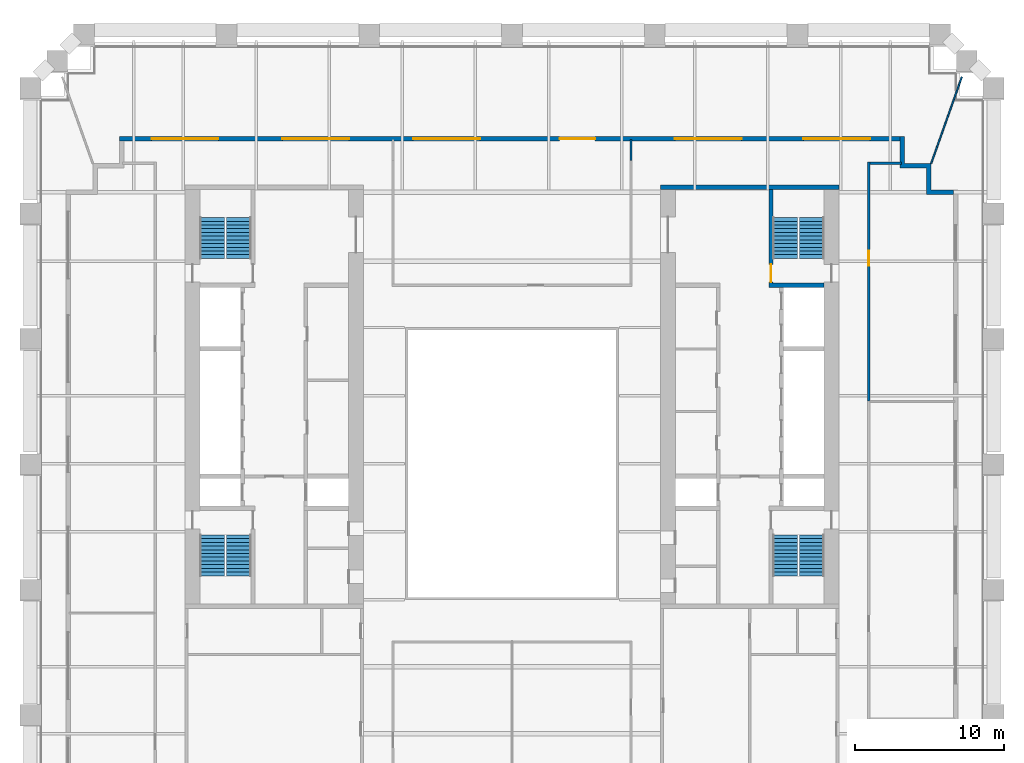
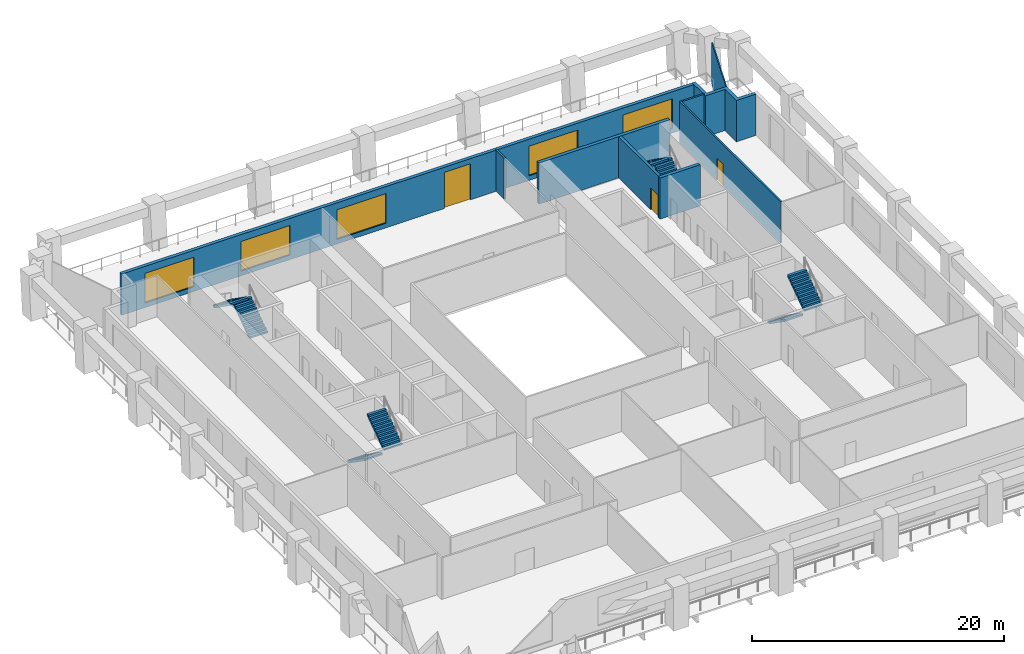
# One storey, part 7 of 8: 9 walls, 8 stair flights, 5 windows, 3 doors, 8 openings, 4 elements without a shape of their own.
"""IFC4 building model written with IfcOpenShell, lengths in metres."""

from ifc_helpers import new_model, si_unit, direction, frame, frame_2d, origin, place, context, subcontext, project, spatial, polyline, rectangle, outline, extrude, material, layer, layer_set, type_object, element, fill, aggregate, save


model = new_model("IFC4")

# Units and contexts
model_context = context("Model", 3, precision=1e-05, world=origin(), true_north=direction((0.0, 1.0)))
body_context = subcontext(model_context, "Body", "Model", "MODEL_VIEW")
ifc_project = project(units=[si_unit("LENGTHUNIT", "METRE"), si_unit("AREAUNIT", "SQUARE_METRE"), si_unit("VOLUMEUNIT", "CUBIC_METRE"), si_unit("PLANEANGLEUNIT", "RADIAN"), si_unit("MASSUNIT", "GRAM", prefix="KILO")], contexts=[model_context])

# Site, building, storey
site_placement = place(None, origin())
site = spatial("IfcSite", under=ifc_project, at=site_placement, CompositionType="ELEMENT")
building_placement = place(site_placement, origin())
building = spatial("IfcBuilding", under=site, at=building_placement, Name="Ogive Exchange Tower", CompositionType="ELEMENT")
storey_placement = place(building_placement, frame((0.0, 0.0, 81.60009765625)))
storey = spatial("IfcBuildingStorey", under=building, at=storey_placement, Name="L17", CompositionType="ELEMENT", Elevation=81.60009765625)

# Wall
ifc_material_1 = material(Name="Fire partition EI 60 150")
ifc_layer_1 = layer(ifc_material_1, 0.14990234375)
ifc_layer_set_1 = layer_set([ifc_layer_1], Name="Fire partition EI 60 150")
wall_type_1 = type_object("IfcWallType", Name="Fire partition EI 60 150", PredefinedType="PARTITIONING", material=ifc_layer_set_1)
wall_1_placement = place(storey_placement, frame((8.010009765625, 27.39990234375, 0.0), z_axis=(0.0, 0.0, 1.0), x_axis=(0.0, 1.0, 0.0)))
element("IfcWall", 1, at=wall_1_placement, inside=storey, type_object=wall_type_1, Name="L17-PWL-025", PredefinedType="PARTITIONING", context=body_context, shape_type="SweptSolid", body=[
    extrude(rectangle(XDim=1.400146484375, YDim=0.14990234375, at=frame_2d((0.7001953125, 0.0))), origin(), (0.0, 0.0, 1.0), 4.0),
])

# Wall, opening, door
wall_2_placement = place(storey_placement, frame((24.0, 27.284912109375, 0.0), z_axis=(0.0, 0.0, 1.0), x_axis=(0.0, -1.0, 0.0)))
wall_2 = element("IfcWall", 2, at=wall_2_placement, inside=storey, type_object=wall_type_1, Name="L17-PWL-035", PredefinedType="PARTITIONING", context=body_context, shape_type="SweptSolid", body=[
    extrude(rectangle(XDim=16.06494140625, YDim=0.14990234375, at=frame_2d((8.032470703125, 0.0))), origin(), (0.0, 0.0, 1.0), 4.0),
])
opening_1_placement = place(wall_2_placement, frame((5.965087890625, 0.0, 0.0)))
opening_1 = element("IfcOpeningElement", 3, at=opening_1_placement, cuts=wall_2, Name="Opening L17-I04", PredefinedType="OPENING", context=body_context, shape_type="SweptSolid", body=[
    extrude(rectangle(XDim=1.0, YDim=2.10009765625, at=frame_2d((0.5, 1.050048828125))), frame((0.0, 0.0849609375, 0.0), z_axis=(0.0, -1.0, 0.0), x_axis=(1.0, 0.0, 0.0)), (0.0, 0.0, 1.0), 0.169921875),
])
ifc_material_2 = material(Name="Fire door FD 30S 1000 x 2100")
door_type_1 = type_object("IfcDoorType", Name="Fire door FD 30S 1000 x 2100", OperationType="NOTDEFINED", PredefinedType="DOOR", material=ifc_material_2)
door_1_placement = place(opening_1_placement, origin())
door_1 = element("IfcDoor", 4, at=door_1_placement, inside=storey, type_object=door_type_1, Name="L17-IDR-004", ObjectType="DT3", OperationType="SINGLE_SWING_LEFT", OverallHeight=2.10009765625, OverallWidth=1.0, PredefinedType="DOOR", context=body_context, shape_type="SweptSolid", body=[
    extrude(rectangle(XDim=1.0, YDim=2.10009765625, at=frame_2d((0.5, 1.050048828125))), frame((0.0, 0.02490234375, 0.0), z_axis=(0.0, -1.0, 0.0), x_axis=(1.0, 0.0, 0.0)), (0.0, 0.0, 1.0), 0.050048828125),
])
fill(opening_1, door_1)

# Wall
wall_3_placement = place(storey_placement, frame((26.199951171875, 27.2099609375, 0.0), z_axis=(0.0, 0.0, 1.0), x_axis=(-1.0, 0.0, 0.0)))
element("IfcWall", 5, at=wall_3_placement, inside=storey, type_object=wall_type_1, Name="L17-PWL-036", PredefinedType="PARTITIONING", context=body_context, shape_type="SweptSolid", body=[
    extrude(rectangle(XDim=2.125, YDim=0.14990234375, at=frame_2d((1.0625, 0.0))), origin(), (0.0, 0.0, 1.0), 4.0),
])

# Wall, openings, door, windows
ifc_material_3 = material(Name="Precast concrete C40/50", Category="concrete")
ifc_layer_2 = layer(ifc_material_3, 0.300048828125)
ifc_layer_set_2 = layer_set([ifc_layer_2], Name="Limestone-faced wall 300")
wall_type_2 = type_object("IfcWallType", Name="Limestone-faced wall 300", PredefinedType="STANDARD", material=ifc_layer_set_2)
wall_4_placement = place(storey_placement, frame((26.10009765625, 28.85009765625, 0.0), z_axis=(0.0, 0.0, 1.0), x_axis=(-1.0, 0.0, 0.0)))
wall_4 = element("IfcWall", 6, at=wall_4_placement, inside=storey, type_object=wall_type_2, Name="External wall N3", PredefinedType="STANDARD", context=body_context, shape_type="SweptSolid", body=[
    extrude(rectangle(XDim=52.5, YDim=0.300048828125, at=frame_2d((26.25, 0.0))), origin(), (0.0, 0.0, 1.0), 4.0),
])
opening_2_placement = place(wall_4_placement, frame((2.0, 0.0, 0.449951171875)))
opening_2 = element("IfcOpeningElement", 7, at=opening_2_placement, cuts=wall_4, Name="Opening W1D", PredefinedType="OPENING", context=body_context, shape_type="SweptSolid", body=[
    extrude(rectangle(XDim=4.5, YDim=2.875, at=frame_2d((2.25, 1.4375))), frame((0.0, 0.159912109375, 0.0), z_axis=(0.0, -1.0, 0.0), x_axis=(1.0, 0.0, 0.0)), (0.0, 0.0, 1.0), 0.320068359375),
])
opening_3_placement = place(wall_4_placement, frame((10.64990234375, 0.0, 0.449951171875)))
opening_3 = element("IfcOpeningElement", 8, at=opening_3_placement, cuts=wall_4, Name="Opening W1D", PredefinedType="OPENING", context=body_context, shape_type="SweptSolid", body=[
    extrude(rectangle(XDim=4.5, YDim=2.875, at=frame_2d((2.25, 1.4375))), frame((0.0, 0.159912109375, 0.0), z_axis=(0.0, -1.0, 0.0), x_axis=(1.0, 0.0, 0.0)), (0.0, 0.0, 1.0), 0.320068359375),
])
opening_4_placement = place(wall_4_placement, frame((20.5, 0.0, 0.0)))
opening_4 = element("IfcOpeningElement", 9, at=opening_4_placement, cuts=wall_4, Name="Opening D1", PredefinedType="OPENING", context=body_context, shape_type="SweptSolid", body=[
    extrude(rectangle(XDim=2.39990234375, YDim=3.5, at=frame_2d((1.199951171875, 1.75))), frame((0.0, 0.159912109375, 0.0), z_axis=(0.0, -1.0, 0.0), x_axis=(1.0, 0.0, 0.0)), (0.0, 0.0, 1.0), 0.320068359375),
])
opening_5_placement = place(wall_4_placement, frame((28.25, 0.0, 0.449951171875)))
opening_5 = element("IfcOpeningElement", 10, at=opening_5_placement, cuts=wall_4, Name="Opening W1D", PredefinedType="OPENING", context=body_context, shape_type="SweptSolid", body=[
    extrude(rectangle(XDim=4.5, YDim=2.875, at=frame_2d((2.25, 1.4375))), frame((0.0, 0.159912109375, 0.0), z_axis=(0.0, -1.0, 0.0), x_axis=(1.0, 0.0, 0.0)), (0.0, 0.0, 1.0), 0.320068359375),
])
opening_6_placement = place(wall_4_placement, frame((37.050048828125, 0.0, 0.449951171875)))
opening_6 = element("IfcOpeningElement", 11, at=opening_6_placement, cuts=wall_4, Name="Opening W1D", PredefinedType="OPENING", context=body_context, shape_type="SweptSolid", body=[
    extrude(rectangle(XDim=4.5, YDim=2.875, at=frame_2d((2.25, 1.4375))), frame((0.0, 0.159912109375, 0.0), z_axis=(0.0, -1.0, 0.0), x_axis=(1.0, 0.0, 0.0)), (0.0, 0.0, 1.0), 0.320068359375),
])
opening_7_placement = place(wall_4_placement, frame((45.85009765625, 0.0, 0.449951171875)))
opening_7 = element("IfcOpeningElement", 12, at=opening_7_placement, cuts=wall_4, Name="Opening W1D", PredefinedType="OPENING", context=body_context, shape_type="SweptSolid", body=[
    extrude(rectangle(XDim=4.5, YDim=2.875, at=frame_2d((2.25, 1.4375))), frame((0.0, 0.159912109375, 0.0), z_axis=(0.0, -1.0, 0.0), x_axis=(1.0, 0.0, 0.0)), (0.0, 0.0, 1.0), 0.320068359375),
])
ifc_material_4 = material(Name="Clear glass in bronze frame", Category="glass")
door_type_2 = type_object("IfcDoorType", Name="Sliding loggia door 2400 x 3500", OperationType="DOUBLE_DOOR_SLIDING", PredefinedType="DOOR", material=ifc_material_4)
door_2_placement = place(opening_4_placement, origin())
door_2 = element("IfcDoor", 13, at=door_2_placement, inside=storey, type_object=door_type_2, Name="Loggia door N02", OperationType="DOUBLE_DOOR_SLIDING", OverallHeight=3.5, OverallWidth=2.39990234375, PredefinedType="DOOR", context=body_context, shape_type="SweptSolid", body=[
    extrude(rectangle(XDim=2.39990234375, YDim=3.5, at=frame_2d((1.199951171875, 1.75))), frame((0.0, 0.02490234375, 0.0), z_axis=(0.0, -1.0, 0.0), x_axis=(1.0, 0.0, 0.0)), (0.0, 0.0, 1.0), 0.050048828125),
])
fill(opening_4, door_2)
window_type = type_object("IfcWindowType", Name="Twin lancet window 4500 x 2875", PartitioningType="DOUBLE_PANEL_VERTICAL", PredefinedType="WINDOW", material=ifc_material_4)
window_1_placement = place(opening_2_placement, origin())
window_1 = element("IfcWindow", 14, at=window_1_placement, inside=storey, type_object=window_type, Name="Window N00", OverallHeight=2.875, OverallWidth=4.5, PartitioningType="DOUBLE_PANEL_VERTICAL", PredefinedType="WINDOW", context=body_context, shape_type="SweptSolid", body=[
    extrude(rectangle(XDim=4.5, YDim=2.875, at=frame_2d((2.25, 1.4375))), frame((0.0, 0.030029296875, 0.0), z_axis=(0.0, -1.0, 0.0), x_axis=(1.0, 0.0, 0.0)), (0.0, 0.0, 1.0), 0.06005859375),
])
fill(opening_2, window_1)
window_2_placement = place(opening_3_placement, origin())
window_2 = element("IfcWindow", 15, at=window_2_placement, inside=storey, type_object=window_type, Name="Window N01", OverallHeight=2.875, OverallWidth=4.5, PartitioningType="DOUBLE_PANEL_VERTICAL", PredefinedType="WINDOW", context=body_context, shape_type="SweptSolid", body=[
    extrude(rectangle(XDim=4.5, YDim=2.875, at=frame_2d((2.25, 1.4375))), frame((0.0, 0.030029296875, 0.0), z_axis=(0.0, -1.0, 0.0), x_axis=(1.0, 0.0, 0.0)), (0.0, 0.0, 1.0), 0.06005859375),
])
fill(opening_3, window_2)
window_3_placement = place(opening_5_placement, origin())
window_3 = element("IfcWindow", 16, at=window_3_placement, inside=storey, type_object=window_type, Name="Window N03", OverallHeight=2.875, OverallWidth=4.5, PartitioningType="DOUBLE_PANEL_VERTICAL", PredefinedType="WINDOW", context=body_context, shape_type="SweptSolid", body=[
    extrude(rectangle(XDim=4.5, YDim=2.875, at=frame_2d((2.25, 1.4375))), frame((0.0, 0.030029296875, 0.0), z_axis=(0.0, -1.0, 0.0), x_axis=(1.0, 0.0, 0.0)), (0.0, 0.0, 1.0), 0.06005859375),
])
fill(opening_5, window_3)
window_4_placement = place(opening_6_placement, origin())
window_4 = element("IfcWindow", 17, at=window_4_placement, inside=storey, type_object=window_type, Name="Window N04", OverallHeight=2.875, OverallWidth=4.5, PartitioningType="DOUBLE_PANEL_VERTICAL", PredefinedType="WINDOW", context=body_context, shape_type="SweptSolid", body=[
    extrude(rectangle(XDim=4.5, YDim=2.875, at=frame_2d((2.25, 1.4375))), frame((0.0, 0.030029296875, 0.0), z_axis=(0.0, -1.0, 0.0), x_axis=(1.0, 0.0, 0.0)), (0.0, 0.0, 1.0), 0.06005859375),
])
fill(opening_6, window_4)
window_5_placement = place(opening_7_placement, origin())
window_5 = element("IfcWindow", 18, at=window_5_placement, inside=storey, type_object=window_type, Name="Window N05", OverallHeight=2.875, OverallWidth=4.5, PartitioningType="DOUBLE_PANEL_VERTICAL", PredefinedType="WINDOW", context=body_context, shape_type="SweptSolid", body=[
    extrude(rectangle(XDim=4.5, YDim=2.875, at=frame_2d((2.25, 1.4375))), frame((0.0, 0.030029296875, 0.0), z_axis=(0.0, -1.0, 0.0), x_axis=(1.0, 0.0, 0.0)), (0.0, 0.0, 1.0), 0.06005859375),
])
fill(opening_7, window_5)

# Walls
wall_5_placement = place(storey_placement, origin())
element("IfcWall", 19, at=wall_5_placement, inside=storey, type_object=wall_type_2, Name="External corner wall C2", PredefinedType="STANDARD", context=body_context, shape_type="SweptSolid", body=[
    extrude(outline(polyline([(27.89990234375, 26.89990234375), (26.10009765625, 26.89990234375), (26.10009765625, 29.0), (26.39990234375, 29.0), (26.39990234375, 27.199951171875), (28.199951171875, 27.199951171875), (28.199951171875, 25.39990234375), (29.699951171875, 25.39990234375), (29.699951171875, 25.10009765625), (27.89990234375, 25.10009765625), (27.89990234375, 26.89990234375)])), origin(), (0.0, 0.0, 1.0), 4.0),
])
ifc_material_5 = material(Name="Laminated safety glass in steel frame", Category="steel")
ifc_layer_3 = layer(ifc_material_5, 0.10009765625)
ifc_layer_set_3 = layer_set([ifc_layer_3], Name="Loggia end screen 100")
wall_type_3 = type_object("IfcWallType", Name="Loggia end screen 100", PredefinedType="STANDARD", material=ifc_layer_set_3)
wall_6_placement = place(storey_placement, frame((28.199951171875, 27.199951171875, -0.050048828125), z_axis=(0.0, 0.0, 1.0), x_axis=(0.334412113697, 0.942426940517, 0.0)))
element("IfcWall", 20, at=wall_6_placement, inside=storey, type_object=wall_type_3, Name="Loggia end screen C2", PredefinedType="STANDARD", context=body_context, shape_type="SweptSolid", body=[
    extrude(rectangle(XDim=6.166748046875, YDim=0.10009765625, at=frame_2d((3.08349609375, 0.0))), origin(), (0.0, 0.0, 1.0), 4.050048828125),
])

# Wall, opening, door
ifc_material_6 = material(Name="Concrete C70/85", Category="concrete")
ifc_layer_4 = layer(ifc_material_6, 0.25)
ifc_layer_set_4 = layer_set([ifc_layer_4], Name="RC core wall 250 C70/85")
wall_type_4 = type_object("IfcWallType", Name="RC core wall 250 C70/85", PredefinedType="SHEAR", material=ifc_layer_set_4)
wall_7_placement = place(storey_placement, frame((17.425048828125, 19.14990234375, 0.0), z_axis=(0.0, 0.0, 1.0), x_axis=(0.0, 1.0, 0.0)))
wall_7 = element("IfcWall", 21, at=wall_7_placement, inside=storey, type_object=wall_type_4, Name="E stair N front wall", PredefinedType="SHEAR", context=body_context, shape_type="SweptSolid", body=[
    extrude(rectangle(XDim=6.300048828125, YDim=0.25, at=frame_2d((3.14990234375, 0.0))), origin(), (0.0, 0.0, 1.0), 4.0),
])
opening_8_placement = place(wall_7_placement, frame((0.050048828125, 0.0, 0.0)))
opening_8 = element("IfcOpeningElement", 22, at=opening_8_placement, cuts=wall_7, Name="Opening L17-C37", PredefinedType="OPENING", context=body_context, shape_type="SweptSolid", body=[
    extrude(rectangle(XDim=1.199951171875, YDim=2.10009765625, at=frame_2d((0.60009765625, 1.050048828125))), frame((0.0, 0.135009765625, 0.0), z_axis=(0.0, -1.0, 0.0), x_axis=(1.0, 0.0, 0.0)), (0.0, 0.0, 1.0), 0.27001953125),
])
ifc_material_7 = material(Name="Steel fire door", Category="steel")
door_type_3 = type_object("IfcDoorType", Name="Stair door FD90 1200 x 2100", OperationType="NOTDEFINED", PredefinedType="DOOR", material=ifc_material_7)
door_3_placement = place(opening_8_placement, frame((1.199951171875, 0.0, 0.0), z_axis=(0.0, 0.0, 1.0), x_axis=(-1.0, 0.0, 0.0)))
door_3 = element("IfcDoor", 23, at=door_3_placement, inside=storey, type_object=door_type_3, Name="Stair door", ObjectType="CD5", OperationType="SINGLE_SWING_LEFT", OverallHeight=2.10009765625, OverallWidth=1.199951171875, PredefinedType="DOOR", context=body_context, shape_type="SweptSolid", body=[
    extrude(rectangle(XDim=1.199951171875, YDim=2.10009765625, at=frame_2d((0.60009765625, 1.050048828125))), frame((0.0, 0.02490234375, 0.0), z_axis=(0.0, -1.0, 0.0), x_axis=(1.0, 0.0, 0.0)), (0.0, 0.0, 1.0), 0.050048828125),
])
fill(opening_8, door_3)

# Walls
ifc_layer_5 = layer(ifc_material_6, 0.300048828125)
ifc_layer_set_5 = layer_set([ifc_layer_5], Name="RC core wall 300 C70/85")
wall_type_5 = type_object("IfcWallType", Name="RC core wall 300 C70/85", PredefinedType="SHEAR", material=ifc_layer_set_5)
wall_8_placement = place(storey_placement, frame((10.0, 25.60009765625, 0.0), z_axis=(0.0, 0.0, 1.0), x_axis=(1.0, 0.0, 0.0)))
element("IfcWall", 24, at=wall_8_placement, inside=storey, type_object=wall_type_5, Name="E north end wall", PredefinedType="SHEAR", context=body_context, shape_type="SweptSolid", body=[
    extrude(rectangle(XDim=12.0, YDim=0.300048828125, at=frame_2d((6.0, 0.0))), origin(), (0.0, 0.0, 1.0), 4.0),
])
wall_9_placement = place(storey_placement, frame((17.300048828125, 19.0, 0.0), z_axis=(0.0, 0.0, 1.0), x_axis=(1.0, 0.0, 0.0)))
element("IfcWall", 25, at=wall_9_placement, inside=storey, type_object=wall_type_5, Name="E stair N south wall", PredefinedType="SHEAR", context=body_context, shape_type="SweptSolid", body=[
    extrude(rectangle(XDim=3.699951171875, YDim=0.300048828125, at=frame_2d((1.85009765625, 0.0))), origin(), (0.0, 0.0, 1.0), 4.0),
])

# Stair, stair flights
ifc_material_8 = material(Name="Concrete C40/50", Category="concrete")
stair_type = type_object("IfcStairType", Name="Exit stair 1650 wide", PredefinedType="HALF_TURN_STAIR", material=ifc_material_8)
stair_1_placement = place(storey_placement, origin())
stair_1 = element("IfcStair", 26, at=stair_1_placement, inside=storey, type_object=stair_type, Name="L17 exit stair ST1", PredefinedType="HALF_TURN_STAIR")
stair_flight_type = type_object("IfcStairFlightType", Name="Stair flight 1650 wide", PredefinedType="STRAIGHT", material=ifc_material_8)
stair_flight_1_placement = place(storey_placement, frame((-20.175048828125, 2.199951171875, 0.0), z_axis=(0.0, 0.0, 1.0), x_axis=(0.0, -1.0, 0.0)))
stair_flight_1 = element("IfcStairFlight", 27, at=stair_flight_1_placement, type_object=stair_flight_type, Name="ST1 flight 1", NumberOfRisers=12, NumberOfTreads=11, PredefinedType="STRAIGHT", RiserHeight=0.175, TreadLength=0.25, context=body_context, shape_type="SweptSolid", body=[
    extrude(outline(polyline([(0.0, 0.0), (0.0, 0.175048828125), (0.25, 0.175048828125), (0.25, 0.35009765625), (0.5, 0.35009765625), (0.5, 0.52490234375), (0.75, 0.52490234375), (0.75, 0.699951171875), (1.0, 0.699951171875), (1.0, 0.875), (1.25, 0.875), (1.25, 1.050048828125), (1.5, 1.050048828125), (1.5, 1.22509765625), (1.75, 1.22509765625), (1.75, 1.39990234375), (2.0, 1.39990234375), (2.0, 1.574951171875), (2.25, 1.574951171875), (2.25, 1.75), (2.5, 1.75), (2.5, 1.925048828125), (2.75, 1.925048828125), (2.75, 2.10009765625), (2.75, 1.741943359375), (0.261474609375, 0.0), (0.0, 0.0)])), frame((0.0, 0.824951171875, 0.0), z_axis=(0.0, -1.0, 0.0), x_axis=(1.0, 0.0, 0.0)), (0.0, 0.0, 1.0), 1.64990234375),
])
stair_flight_2_placement = place(storey_placement, frame((-18.375, -0.550048828125, 2.099853515625), z_axis=(0.0, 0.0, 1.0), x_axis=(0.0, 1.0, 0.0)))
stair_flight_2 = element("IfcStairFlight", 28, at=stair_flight_2_placement, type_object=stair_flight_type, Name="ST1 flight 2", NumberOfRisers=12, NumberOfTreads=11, PredefinedType="STRAIGHT", RiserHeight=0.175, TreadLength=0.25, context=body_context, shape_type="SweptSolid", body=[
    extrude(outline(polyline([(0.0, 0.0), (0.0, 0.175048828125), (0.25, 0.175048828125), (0.25, 0.35009765625), (0.5, 0.35009765625), (0.5, 0.52490234375), (0.75, 0.52490234375), (0.75, 0.699951171875), (1.0, 0.699951171875), (1.0, 0.875), (1.25, 0.875), (1.25, 1.050048828125), (1.5, 1.050048828125), (1.5, 1.22509765625), (1.75, 1.22509765625), (1.75, 1.39990234375), (2.0, 1.39990234375), (2.0, 1.574951171875), (2.25, 1.574951171875), (2.25, 1.75), (2.5, 1.75), (2.5, 1.925048828125), (2.75, 1.925048828125), (2.75, 2.10009765625), (2.75, 1.741943359375), (0.261474609375, 0.0), (0.0, 0.0)])), frame((0.0, 0.824951171875, 0.0), z_axis=(0.0, -1.0, 0.0), x_axis=(1.0, 0.0, 0.0)), (0.0, 0.0, 1.0), 1.64990234375),
])
aggregate(stair_1, [stair_flight_1, stair_flight_2])

stair_2_placement = place(storey_placement, origin())
stair_2 = element("IfcStair", 29, at=stair_2_placement, inside=storey, type_object=stair_type, Name="L17 exit stair ST2", PredefinedType="HALF_TURN_STAIR")
stair_flight_3_placement = place(storey_placement, frame((-18.375, 20.800048828125, 0.0), z_axis=(0.0, 0.0, 1.0), x_axis=(0.0, 1.0, 0.0)))
stair_flight_3 = element("IfcStairFlight", 30, at=stair_flight_3_placement, type_object=stair_flight_type, Name="ST2 flight 1", NumberOfRisers=12, NumberOfTreads=11, PredefinedType="STRAIGHT", RiserHeight=0.175, TreadLength=0.25, context=body_context, shape_type="SweptSolid", body=[
    extrude(outline(polyline([(0.0, 0.0), (0.0, 0.175048828125), (0.25, 0.175048828125), (0.25, 0.35009765625), (0.5, 0.35009765625), (0.5, 0.52490234375), (0.75, 0.52490234375), (0.75, 0.699951171875), (1.0, 0.699951171875), (1.0, 0.875), (1.25, 0.875), (1.25, 1.050048828125), (1.5, 1.050048828125), (1.5, 1.22509765625), (1.75, 1.22509765625), (1.75, 1.39990234375), (2.0, 1.39990234375), (2.0, 1.574951171875), (2.25, 1.574951171875), (2.25, 1.75), (2.5, 1.75), (2.5, 1.925048828125), (2.75, 1.925048828125), (2.75, 2.10009765625), (2.75, 1.741943359375), (0.261474609375, 0.0), (0.0, 0.0)])), frame((0.0, 0.824951171875, 0.0), z_axis=(0.0, -1.0, 0.0), x_axis=(1.0, 0.0, 0.0)), (0.0, 0.0, 1.0), 1.64990234375),
])
stair_flight_4_placement = place(storey_placement, frame((-20.175048828125, 23.550048828125, 2.099853515625), z_axis=(0.0, 0.0, 1.0), x_axis=(0.0, -1.0, 0.0)))
stair_flight_4 = element("IfcStairFlight", 31, at=stair_flight_4_placement, type_object=stair_flight_type, Name="ST2 flight 2", NumberOfRisers=12, NumberOfTreads=11, PredefinedType="STRAIGHT", RiserHeight=0.175, TreadLength=0.25, context=body_context, shape_type="SweptSolid", body=[
    extrude(outline(polyline([(0.0, 0.0), (0.0, 0.175048828125), (0.25, 0.175048828125), (0.25, 0.35009765625), (0.5, 0.35009765625), (0.5, 0.52490234375), (0.75, 0.52490234375), (0.75, 0.699951171875), (1.0, 0.699951171875), (1.0, 0.875), (1.25, 0.875), (1.25, 1.050048828125), (1.5, 1.050048828125), (1.5, 1.22509765625), (1.75, 1.22509765625), (1.75, 1.39990234375), (2.0, 1.39990234375), (2.0, 1.574951171875), (2.25, 1.574951171875), (2.25, 1.75), (2.5, 1.75), (2.5, 1.925048828125), (2.75, 1.925048828125), (2.75, 2.10009765625), (2.75, 1.741943359375), (0.261474609375, 0.0), (0.0, 0.0)])), frame((0.0, 0.824951171875, 0.0), z_axis=(0.0, -1.0, 0.0), x_axis=(1.0, 0.0, 0.0)), (0.0, 0.0, 1.0), 1.64990234375),
])
aggregate(stair_2, [stair_flight_3, stair_flight_4])

stair_3_placement = place(storey_placement, origin())
stair_3 = element("IfcStair", 32, at=stair_3_placement, inside=storey, type_object=stair_type, Name="L17 exit stair ST3", PredefinedType="HALF_TURN_STAIR")
stair_flight_5_placement = place(storey_placement, frame((18.375, 2.199951171875, 0.0), z_axis=(0.0, 0.0, 1.0), x_axis=(0.0, -1.0, 0.0)))
stair_flight_5 = element("IfcStairFlight", 33, at=stair_flight_5_placement, type_object=stair_flight_type, Name="ST3 flight 1", NumberOfRisers=12, NumberOfTreads=11, PredefinedType="STRAIGHT", RiserHeight=0.175, TreadLength=0.25, context=body_context, shape_type="SweptSolid", body=[
    extrude(outline(polyline([(0.0, 0.0), (0.0, 0.175048828125), (0.25, 0.175048828125), (0.25, 0.35009765625), (0.5, 0.35009765625), (0.5, 0.52490234375), (0.75, 0.52490234375), (0.75, 0.699951171875), (1.0, 0.699951171875), (1.0, 0.875), (1.25, 0.875), (1.25, 1.050048828125), (1.5, 1.050048828125), (1.5, 1.22509765625), (1.75, 1.22509765625), (1.75, 1.39990234375), (2.0, 1.39990234375), (2.0, 1.574951171875), (2.25, 1.574951171875), (2.25, 1.75), (2.5, 1.75), (2.5, 1.925048828125), (2.75, 1.925048828125), (2.75, 2.10009765625), (2.75, 1.741943359375), (0.261474609375, 0.0), (0.0, 0.0)])), frame((0.0, 0.824951171875, 0.0), z_axis=(0.0, -1.0, 0.0), x_axis=(1.0, 0.0, 0.0)), (0.0, 0.0, 1.0), 1.64990234375),
])
stair_flight_6_placement = place(storey_placement, frame((20.175048828125, -0.550048828125, 2.099853515625), z_axis=(0.0, 0.0, 1.0), x_axis=(0.0, 1.0, 0.0)))
stair_flight_6 = element("IfcStairFlight", 34, at=stair_flight_6_placement, type_object=stair_flight_type, Name="ST3 flight 2", NumberOfRisers=12, NumberOfTreads=11, PredefinedType="STRAIGHT", RiserHeight=0.175, TreadLength=0.25, context=body_context, shape_type="SweptSolid", body=[
    extrude(outline(polyline([(0.0, 0.0), (0.0, 0.175048828125), (0.25, 0.175048828125), (0.25, 0.35009765625), (0.5, 0.35009765625), (0.5, 0.52490234375), (0.75, 0.52490234375), (0.75, 0.699951171875), (1.0, 0.699951171875), (1.0, 0.875), (1.25, 0.875), (1.25, 1.050048828125), (1.5, 1.050048828125), (1.5, 1.22509765625), (1.75, 1.22509765625), (1.75, 1.39990234375), (2.0, 1.39990234375), (2.0, 1.574951171875), (2.25, 1.574951171875), (2.25, 1.75), (2.5, 1.75), (2.5, 1.925048828125), (2.75, 1.925048828125), (2.75, 2.10009765625), (2.75, 1.741943359375), (0.261474609375, 0.0), (0.0, 0.0)])), frame((0.0, 0.824951171875, 0.0), z_axis=(0.0, -1.0, 0.0), x_axis=(1.0, 0.0, 0.0)), (0.0, 0.0, 1.0), 1.64990234375),
])
aggregate(stair_3, [stair_flight_5, stair_flight_6])

stair_4_placement = place(storey_placement, origin())
stair_4 = element("IfcStair", 35, at=stair_4_placement, inside=storey, type_object=stair_type, Name="L17 exit stair ST4", PredefinedType="HALF_TURN_STAIR")
stair_flight_7_placement = place(storey_placement, frame((20.175048828125, 20.800048828125, 0.0), z_axis=(0.0, 0.0, 1.0), x_axis=(0.0, 1.0, 0.0)))
stair_flight_7 = element("IfcStairFlight", 36, at=stair_flight_7_placement, type_object=stair_flight_type, Name="ST4 flight 1", NumberOfRisers=12, NumberOfTreads=11, PredefinedType="STRAIGHT", RiserHeight=0.175, TreadLength=0.25, context=body_context, shape_type="SweptSolid", body=[
    extrude(outline(polyline([(0.0, 0.0), (0.0, 0.175048828125), (0.25, 0.175048828125), (0.25, 0.35009765625), (0.5, 0.35009765625), (0.5, 0.52490234375), (0.75, 0.52490234375), (0.75, 0.699951171875), (1.0, 0.699951171875), (1.0, 0.875), (1.25, 0.875), (1.25, 1.050048828125), (1.5, 1.050048828125), (1.5, 1.22509765625), (1.75, 1.22509765625), (1.75, 1.39990234375), (2.0, 1.39990234375), (2.0, 1.574951171875), (2.25, 1.574951171875), (2.25, 1.75), (2.5, 1.75), (2.5, 1.925048828125), (2.75, 1.925048828125), (2.75, 2.10009765625), (2.75, 1.741943359375), (0.261474609375, 0.0), (0.0, 0.0)])), frame((0.0, 0.824951171875, 0.0), z_axis=(0.0, -1.0, 0.0), x_axis=(1.0, 0.0, 0.0)), (0.0, 0.0, 1.0), 1.64990234375),
])
stair_flight_8_placement = place(storey_placement, frame((18.375, 23.550048828125, 2.099853515625), z_axis=(0.0, 0.0, 1.0), x_axis=(0.0, -1.0, 0.0)))
stair_flight_8 = element("IfcStairFlight", 37, at=stair_flight_8_placement, type_object=stair_flight_type, Name="ST4 flight 2", NumberOfRisers=12, NumberOfTreads=11, PredefinedType="STRAIGHT", RiserHeight=0.175, TreadLength=0.25, context=body_context, shape_type="SweptSolid", body=[
    extrude(outline(polyline([(0.0, 0.0), (0.0, 0.175048828125), (0.25, 0.175048828125), (0.25, 0.35009765625), (0.5, 0.35009765625), (0.5, 0.52490234375), (0.75, 0.52490234375), (0.75, 0.699951171875), (1.0, 0.699951171875), (1.0, 0.875), (1.25, 0.875), (1.25, 1.050048828125), (1.5, 1.050048828125), (1.5, 1.22509765625), (1.75, 1.22509765625), (1.75, 1.39990234375), (2.0, 1.39990234375), (2.0, 1.574951171875), (2.25, 1.574951171875), (2.25, 1.75), (2.5, 1.75), (2.5, 1.925048828125), (2.75, 1.925048828125), (2.75, 2.10009765625), (2.75, 1.741943359375), (0.261474609375, 0.0), (0.0, 0.0)])), frame((0.0, 0.824951171875, 0.0), z_axis=(0.0, -1.0, 0.0), x_axis=(1.0, 0.0, 0.0)), (0.0, 0.0, 1.0), 1.64990234375),
])
aggregate(stair_4, [stair_flight_7, stair_flight_8])

save(model, "model.ifc")
